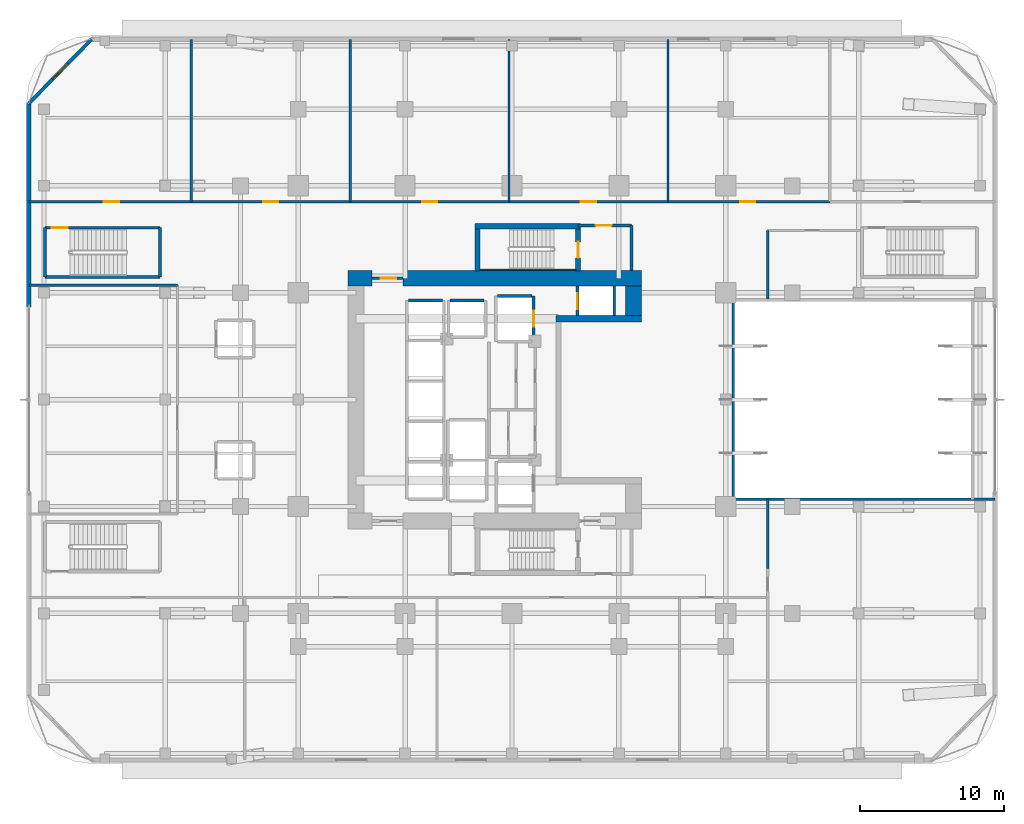
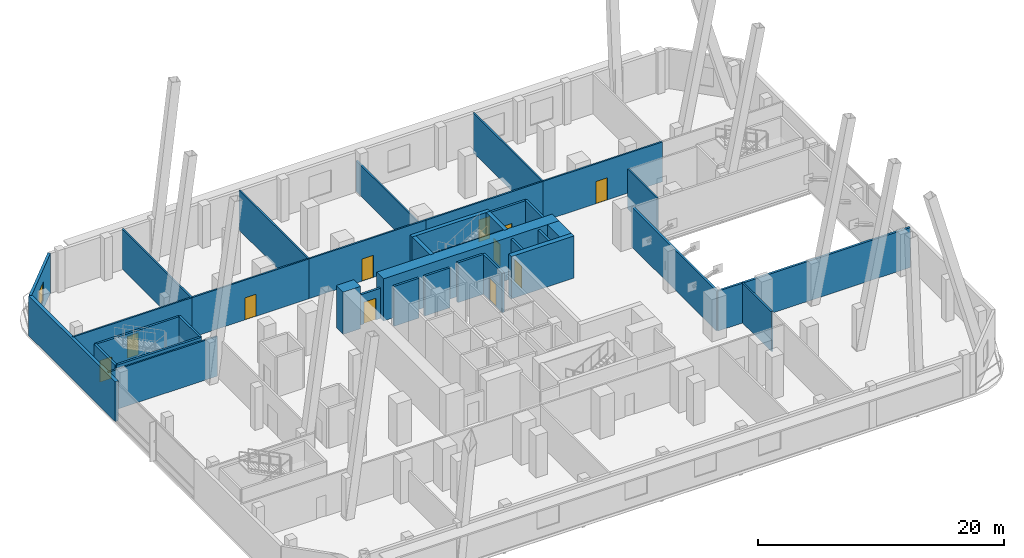
# One storey, part 13 of 23: 37 walls, 11 doors, 1 window, 12 openings.
"""IFC4 building model written with IfcOpenShell, lengths in metres."""

from ifc_helpers import new_model, si_unit, direction, frame, frame_2d, origin, place, context, subcontext, project, spatial, rectangle, extrude, material, layer, layer_set, type_object, element, fill, save


model = new_model("IFC4")

# Units and contexts
model_context = context("Model", 3, precision=1e-05, world=origin(), true_north=direction((0.0, 1.0)))
body_context = subcontext(model_context, "Body", "Model", "MODEL_VIEW")
ifc_project = project(units=[si_unit("LENGTHUNIT", "METRE"), si_unit("AREAUNIT", "SQUARE_METRE"), si_unit("VOLUMEUNIT", "CUBIC_METRE"), si_unit("PLANEANGLEUNIT", "RADIAN"), si_unit("MASSUNIT", "GRAM", prefix="KILO")], contexts=[model_context])

# Site, building, storey
site_placement = place(None, origin())
site = spatial("IfcSite", under=ifc_project, at=site_placement, CompositionType="ELEMENT")
building_placement = place(site_placement, origin())
building = spatial("IfcBuilding", under=site, at=building_placement, Name="Khorvyn Point Tower", CompositionType="ELEMENT")
storey_placement = place(building_placement, frame((0.0, 0.0, 9.0)))
storey = spatial("IfcBuildingStorey", under=building, at=storey_placement, Name="L03", CompositionType="ELEMENT", Elevation=9.0)

# Wall, opening, window
ifc_material_1 = material(Name="Pale anodised aluminium rainscreen on steel stud", Category="steel")
ifc_layer_1 = layer(ifc_material_1, 0.239990234375)
ifc_layer_set_1 = layer_set([ifc_layer_1], Name="Anodised Aluminium Insulated Corner Spandrel Wall 240")
wall_type_1 = type_object("IfcWallType", Name="Anodised Aluminium Insulated Corner Spandrel Wall 240", PredefinedType="SOLIDWALL", material=ifc_layer_set_1)
wall_1_placement = place(storey_placement, frame((-33.449951171875, 20.5, 0.0), z_axis=(0.0, 0.0, 1.0), x_axis=(0.69901822973, 0.715103848756, 0.0)))
wall_1 = element("IfcWall", 1, at=wall_1_placement, inside=storey, type_object=wall_type_1, Name="L03 Rounded Corner Wall NW", PredefinedType="SOLIDWALL", context=body_context, shape_type="SweptSolid", body=[
    extrude(rectangle(XDim=6.222900390625, YDim=0.239990234375, at=frame_2d((3.111328125, 0.0))), origin(), (0.0, 0.0, 1.0), 3.9599609375),
])
opening_1_placement = place(wall_1_placement, frame((2.361572265625, 0.0, 0.85009765625)))
opening_1 = element("IfcOpeningElement", 2, at=opening_1_placement, cuts=wall_1, Name="Opening WN-1518", PredefinedType="OPENING", context=body_context, shape_type="SweptSolid", body=[
    extrude(rectangle(XDim=1.5, YDim=1.85009765625, at=frame_2d((0.75, 0.925048828125))), frame((0.0, 0.1298828125, 0.0), z_axis=(0.0, -1.0, 0.0), x_axis=(1.0, 0.0, 0.0)), (0.0, 0.0, 1.0), 0.260009765625),
])
ifc_material_2 = material(Name="Anodised aluminium 6063-T6 and laminated Low-E glass", Category="aluminium")
window_type = type_object("IfcWindowType", Name="Anodised Aluminium Rounded-Corner Panoramic Window 1500x1850", PartitioningType="SINGLE_PANEL", PredefinedType="WINDOW", material=ifc_material_2)
window_placement = place(opening_1_placement, origin())
window = element("IfcWindow", 3, at=window_placement, inside=storey, type_object=window_type, Name="L03 Corner Window NW", OverallHeight=1.85009765625, OverallWidth=1.5, PartitioningType="SINGLE_PANEL", PredefinedType="WINDOW", context=body_context, shape_type="SweptSolid", body=[
    extrude(rectangle(XDim=1.5, YDim=1.85009765625, at=frame_2d((0.75, 0.925048828125))), frame((0.0, 0.030029296875, 0.0), z_axis=(0.0, -1.0, 0.0), x_axis=(1.0, 0.0, 0.0)), (0.0, 0.0, 1.0), 0.06005859375),
])
fill(opening_1, window)

# Wall
ifc_material_3 = material(Name="Concrete C40/50", Category="concrete")
ifc_layer_2 = layer(ifc_material_3, 0.449951171875)
ifc_layer_set_2 = layer_set([ifc_layer_2], Name="Concrete C40/50 Core Shear Wall 450")
wall_type_2 = type_object("IfcWallType", Name="Concrete C40/50 Core Shear Wall 450", PredefinedType="SHEAR", material=ifc_layer_set_2)
wall_2_placement = place(storey_placement, frame((3.044921875, 5.60009765625, 0.0), z_axis=(0.0, 0.0, 1.0), x_axis=(1.0, 0.0, 0.0)))
element("IfcWall", 4, at=wall_2_placement, inside=storey, type_object=wall_type_2, Name="Wall", PredefinedType="SHEAR", context=body_context, shape_type="SweptSolid", body=[
    extrude(rectangle(XDim=5.905029296875, YDim=0.449951171875, at=frame_2d((2.95263671875, 0.0))), origin(), (0.0, 0.0, 1.0), 4.199951171875),
])

# Wall, opening, door
ifc_layer_3 = layer(ifc_material_3, 0.199951171875)
ifc_layer_set_3 = layer_set([ifc_layer_3], Name="Concrete C40/50 Fire-Lobby Compartment Wall 200")
wall_type_3 = type_object("IfcWallType", Name="Concrete C40/50 Fire-Lobby Compartment Wall 200", PredefinedType="SOLIDWALL", material=ifc_layer_set_3)
wall_3_placement = place(storey_placement, frame((4.580078125, 12.06005859375, 0.0), z_axis=(0.0, 0.0, 1.0), x_axis=(1.0, 0.0, 0.0)))
wall_3 = element("IfcWall", 5, at=wall_3_placement, inside=storey, type_object=wall_type_3, Name="Wall", PredefinedType="SOLIDWALL", context=body_context, shape_type="SweptSolid", body=[
    extrude(rectangle(XDim=3.699951171875, YDim=0.199951171875, at=frame_2d((1.85009765625, 0.0))), origin(), (0.0, 0.0, 1.0), 3.9599609375),
])
opening_2_placement = place(wall_3_placement, frame((1.21240234375, 0.0, 0.0)))
opening_2 = element("IfcOpeningElement", 6, at=opening_2_placement, cuts=wall_3, Name="Opening ID-FL90", PredefinedType="OPENING", context=body_context, shape_type="SweptSolid", body=[
    extrude(rectangle(XDim=1.10009765625, YDim=2.14990234375, at=frame_2d((0.550048828125, 1.074951171875))), frame((0.0, 0.10986328125, 0.0), z_axis=(0.0, -1.0, 0.0), x_axis=(1.0, 0.0, 0.0)), (0.0, 0.0, 1.0), 0.219970703125),
])
ifc_material_4 = material(Name="Galvanised powder-coated steel", Category="steel")
door_type_1 = type_object("IfcDoorType", Name="Fire-Rated Steel Lobby and Stair Door 1100x2150", OperationType="NOTDEFINED", PredefinedType="DOOR", material=ifc_material_4)
door_1_placement = place(opening_2_placement, origin())
door_1 = element("IfcDoor", 7, at=door_1_placement, inside=storey, type_object=door_type_1, Name="Door", OperationType="SINGLE_SWING_RIGHT", OverallHeight=2.14990234375, OverallWidth=1.10009765625, PredefinedType="DOOR", context=body_context, shape_type="SweptSolid", body=[
    extrude(rectangle(XDim=1.10009765625, YDim=2.14990234375, at=frame_2d((0.550048828125, 1.074951171875))), frame((0.0, 0.02490234375, 0.0), z_axis=(0.0, -1.0, 0.0), x_axis=(1.0, 0.0, 0.0)), (0.0, 0.0, 1.0), 0.050048828125),
])
fill(opening_2, door_1)

wall_4_placement = place(storey_placement, frame((-9.699951171875, 8.39990234375, 0.0), z_axis=(0.0, 0.0, 1.0), x_axis=(1.0, 0.0, 0.0)))
wall_4 = element("IfcWall", 8, at=wall_4_placement, inside=storey, type_object=wall_type_3, Name="Wall", PredefinedType="SOLIDWALL", context=body_context, shape_type="SweptSolid", body=[
    extrude(rectangle(XDim=2.14990234375, YDim=0.199951171875, at=frame_2d((1.074951171875, 0.0))), origin(), (0.0, 0.0, 1.0), 3.0),
])
opening_3_placement = place(wall_4_placement, frame((0.597900390625, 0.0, 0.0)))
opening_3 = element("IfcOpeningElement", 9, at=opening_3_placement, cuts=wall_4, Name="Opening ID-FL90", PredefinedType="OPENING", context=body_context, shape_type="SweptSolid", body=[
    extrude(rectangle(XDim=1.10009765625, YDim=2.14990234375, at=frame_2d((0.550048828125, 1.074951171875))), frame((0.0, 0.10986328125, 0.0), z_axis=(0.0, -1.0, 0.0), x_axis=(1.0, 0.0, 0.0)), (0.0, 0.0, 1.0), 0.219970703125),
])
door_2_placement = place(opening_3_placement, origin())
door_2 = element("IfcDoor", 10, at=door_2_placement, inside=storey, type_object=door_type_1, Name="Door", OperationType="SINGLE_SWING_RIGHT", OverallHeight=2.14990234375, OverallWidth=1.10009765625, PredefinedType="DOOR", context=body_context, shape_type="SweptSolid", body=[
    extrude(rectangle(XDim=1.10009765625, YDim=2.14990234375, at=frame_2d((0.550048828125, 1.074951171875))), frame((0.0, 0.02490234375, 0.0), z_axis=(0.0, -1.0, 0.0), x_axis=(1.0, 0.0, 0.0)), (0.0, 0.0, 1.0), 0.050048828125),
])
fill(opening_3, door_2)

# Walls
wall_5_placement = place(storey_placement, frame((8.280029296875, 8.949951171875, 0.0), z_axis=(0.0, 0.0, 1.0), x_axis=(0.0, 1.0, 0.0)))
element("IfcWall", 11, at=wall_5_placement, inside=storey, type_object=wall_type_3, Name="Wall", PredefinedType="SOLIDWALL", context=body_context, shape_type="SweptSolid", body=[
    extrude(rectangle(XDim=3.110107421875, YDim=0.199951171875, at=frame_2d((1.55517578125, 0.0))), origin(), (0.0, 0.0, 1.0), 3.9599609375),
])
wall_6_placement = place(storey_placement, frame((15.320068359375, -6.89990234375, 0.0), z_axis=(0.0, 0.0, 1.0), x_axis=(0.0, 1.0, 0.0)))
element("IfcWall", 12, at=wall_6_placement, inside=storey, type_object=wall_type_3, Name="Wall", PredefinedType="SOLIDWALL", context=body_context, shape_type="SweptSolid", body=[
    extrude(rectangle(XDim=13.7998046875, YDim=0.199951171875, at=frame_2d((6.89990234375, 0.0))), origin(), (0.0, 0.0, 1.0), 3.9599609375),
])
wall_7_placement = place(storey_placement, frame((15.320068359375, -6.89990234375, 0.0), z_axis=(0.0, 0.0, 1.0), x_axis=(1.0, 0.0, 0.0)))
element("IfcWall", 13, at=wall_7_placement, inside=storey, type_object=wall_type_3, Name="Wall", PredefinedType="SOLIDWALL", context=body_context, shape_type="SweptSolid", body=[
    extrude(rectangle(XDim=18.099853515625, YDim=0.199951171875, at=frame_2d((9.0498046875, 0.0))), origin(), (0.0, 0.0, 1.0), 3.9599609375),
])
ifc_layer_4 = layer(ifc_material_3, 0.25)
ifc_layer_set_4 = layer_set([ifc_layer_4], Name="Concrete C40/50 Stair Inner Cheek Structural Wall 250")
wall_type_4 = type_object("IfcWallType", Name="Concrete C40/50 Stair Inner Cheek Structural Wall 250", PredefinedType="SHEAR", material=ifc_layer_set_4)
wall_8_placement = place(storey_placement, frame((-2.199951171875, 8.987548828125, 0.0), z_axis=(0.0, 0.0, 1.0), x_axis=(1.0, 0.0, 0.0)))
element("IfcWall", 14, at=wall_8_placement, inside=storey, type_object=wall_type_4, Name="Wall", PredefinedType="SHEAR", context=body_context, shape_type="SweptSolid", body=[
    extrude(rectangle(XDim=6.599853515625, YDim=0.074951171875, at=frame_2d((3.2998046875, 0.0))), origin(), (0.0, 0.0, 1.0), 4.199951171875),
])
ifc_layer_5 = layer(ifc_material_3, 0.35009765625)
ifc_layer_set_5 = layer_set([ifc_layer_5], Name="Concrete C40/50 Stair Shaft Structural Wall 350")
wall_type_5 = type_object("IfcWallType", Name="Concrete C40/50 Stair Shaft Structural Wall 350", PredefinedType="SHEAR", material=ifc_layer_set_5)
wall_9_placement = place(storey_placement, frame((-2.554931640625, 12.0, 0.0), z_axis=(0.0, 0.0, 1.0), x_axis=(1.0, 0.0, 0.0)))
element("IfcWall", 15, at=wall_9_placement, inside=storey, type_object=wall_type_5, Name="L03 ST-02 North Shaft Wall", PredefinedType="SHEAR", context=body_context, shape_type="SweptSolid", body=[
    extrude(rectangle(XDim=7.309814453125, YDim=0.35009765625, at=frame_2d((3.65478515625, 0.0))), origin(), (0.0, 0.0, 1.0), 4.199951171875),
])
wall_10_placement = place(storey_placement, frame((-2.3798828125, 8.89990234375, 0.0), z_axis=(0.0, 0.0, 1.0), x_axis=(0.0, 1.0, 0.0)))
element("IfcWall", 16, at=wall_10_placement, inside=storey, type_object=wall_type_5, Name="L03 ST-02 West Shaft Wall", PredefinedType="SHEAR", context=body_context, shape_type="SweptSolid", body=[
    extrude(rectangle(XDim=2.925048828125, YDim=0.35009765625, at=frame_2d((1.46240234375, 0.0))), origin(), (0.0, 0.0, 1.0), 4.199951171875),
])

# Wall, opening, door
wall_11_placement = place(storey_placement, frame((4.580078125, 11.824951171875, 0.0), z_axis=(0.0, 0.0, 1.0), x_axis=(0.0, -1.0, 0.0)))
wall_11 = element("IfcWall", 17, at=wall_11_placement, inside=storey, type_object=wall_type_5, Name="L03 ST-02 East Landing Door Wall", PredefinedType="SHEAR", context=body_context, shape_type="SweptSolid", body=[
    extrude(rectangle(XDim=2.925048828125, YDim=0.35009765625, at=frame_2d((1.46240234375, 0.0))), origin(), (0.0, 0.0, 1.0), 4.199951171875),
])
opening_4_placement = place(wall_11_placement, frame((0.91259765625, 0.0, 0.0)))
opening_4 = element("IfcOpeningElement", 18, at=opening_4_placement, cuts=wall_11, Name="Opening ID-FL90", PredefinedType="OPENING", context=body_context, shape_type="SweptSolid", body=[
    extrude(rectangle(XDim=1.10009765625, YDim=2.14990234375, at=frame_2d((0.550048828125, 1.074951171875))), frame((0.0, 0.18505859375, 0.0), z_axis=(0.0, -1.0, 0.0), x_axis=(1.0, 0.0, 0.0)), (0.0, 0.0, 1.0), 0.3701171875),
])
door_3_placement = place(opening_4_placement, origin())
door_3 = element("IfcDoor", 19, at=door_3_placement, inside=storey, type_object=door_type_1, Name="L03 ST-02 Smokeproof Landing Door", OperationType="SINGLE_SWING_RIGHT", OverallHeight=2.14990234375, OverallWidth=1.10009765625, PredefinedType="DOOR", context=body_context, shape_type="SweptSolid", body=[
    extrude(rectangle(XDim=1.10009765625, YDim=2.14990234375, at=frame_2d((0.550048828125, 1.074951171875))), frame((0.0, 0.02490234375, 0.0), z_axis=(0.0, -1.0, 0.0), x_axis=(1.0, 0.0, 0.0)), (0.0, 0.0, 1.0), 0.050048828125),
])
fill(opening_4, door_3)

# Walls
ifc_layer_6 = layer(ifc_material_3, 0.199951171875)
ifc_layer_set_6 = layer_set([ifc_layer_6], Name="Concrete C40/50 Structural Hoistway and Stair Shaft Wall 200")
wall_type_6 = type_object("IfcWallType", Name="Concrete C40/50 Structural Hoistway and Stair Shaft Wall 200", PredefinedType="SHEAR", material=ifc_layer_set_6)
wall_12_placement = place(storey_placement, frame((-7.175048828125, 6.875, 0.0), z_axis=(0.0, 0.0, 1.0), x_axis=(1.0, 0.0, 0.0)))
element("IfcWall", 20, at=wall_12_placement, inside=storey, type_object=wall_type_6, Name="Wall", PredefinedType="SHEAR", context=body_context, shape_type="SweptSolid", body=[
    extrude(rectangle(XDim=2.35009765625, YDim=0.199951171875, at=frame_2d((1.175048828125, 0.0))), origin(), (0.0, 0.0, 1.0), 3.9599609375),
])
wall_13_placement = place(storey_placement, frame((-4.27490234375, 6.875, 0.0), z_axis=(0.0, 0.0, 1.0), x_axis=(1.0, 0.0, 0.0)))
element("IfcWall", 21, at=wall_13_placement, inside=storey, type_object=wall_type_6, Name="Wall", PredefinedType="SHEAR", context=body_context, shape_type="SweptSolid", body=[
    extrude(rectangle(XDim=2.349853515625, YDim=0.199951171875, at=frame_2d((1.1748046875, 0.0))), origin(), (0.0, 0.0, 1.0), 3.9599609375),
])

# Wall, opening, door
wall_14_placement = place(storey_placement, frame((1.5, 4.02490234375, 0.0), z_axis=(0.0, 0.0, 1.0), x_axis=(0.0, 1.0, 0.0)))
wall_14 = element("IfcWall", 22, at=wall_14_placement, inside=storey, type_object=wall_type_6, Name="Wall", PredefinedType="SHEAR", context=body_context, shape_type="SweptSolid", body=[
    extrude(rectangle(XDim=3.150146484375, YDim=0.199951171875, at=frame_2d((1.5751953125, 0.0))), origin(), (0.0, 0.0, 1.0), 3.9599609375),
])
opening_5_placement = place(wall_14_placement, frame((1.02490234375, 0.0, 0.0)))
opening_5 = element("IfcOpeningElement", 23, at=opening_5_placement, cuts=wall_14, Name="Opening LD-1122", PredefinedType="OPENING", context=body_context, shape_type="SweptSolid", body=[
    extrude(rectangle(XDim=1.10009765625, YDim=2.199951171875, at=frame_2d((0.550048828125, 1.10009765625))), frame((0.0, 0.10986328125, 0.0), z_axis=(0.0, -1.0, 0.0), x_axis=(1.0, 0.0, 0.0)), (0.0, 0.0, 1.0), 0.219970703125),
])
ifc_material_5 = material(Name="Stainless steel 1.4301", Category="steel")
door_type_2 = type_object("IfcDoorType", Name="Stainless Steel Automatic Sliding Lift Landing Door 1100x2200", OperationType="SLIDING_TO_LEFT", PredefinedType="DOOR", material=ifc_material_5)
door_4_placement = place(opening_5_placement, origin())
door_4 = element("IfcDoor", 24, at=door_4_placement, inside=storey, type_object=door_type_2, Name="L03 SV-01 Sliding Lift Landing Door", OperationType="SLIDING_TO_LEFT", OverallHeight=2.199951171875, OverallWidth=1.10009765625, PredefinedType="DOOR", context=body_context, shape_type="SweptSolid", body=[
    extrude(rectangle(XDim=1.10009765625, YDim=2.199951171875, at=frame_2d((0.550048828125, 1.10009765625))), frame((0.0, 0.02490234375, 0.0), z_axis=(0.0, -1.0, 0.0), x_axis=(1.0, 0.0, 0.0)), (0.0, 0.0, 1.0), 0.050048828125),
])
fill(opening_5, door_4)

# Wall
wall_15_placement = place(storey_placement, frame((-1.0, 7.175048828125, 0.0), z_axis=(0.0, 0.0, 1.0), x_axis=(1.0, 0.0, 0.0)))
element("IfcWall", 25, at=wall_15_placement, inside=storey, type_object=wall_type_6, Name="Wall", PredefinedType="SHEAR", context=body_context, shape_type="SweptSolid", body=[
    extrude(rectangle(XDim=2.39990234375, YDim=0.199951171875, at=frame_2d((1.199951171875, 0.0))), origin(), (0.0, 0.0, 1.0), 3.9599609375),
])

# Wall, opening, door
wall_16_placement = place(storey_placement, frame((4.52490234375, 5.824951171875, 0.0), z_axis=(0.0, 0.0, 1.0), x_axis=(0.0, 1.0, 0.0)))
wall_16 = element("IfcWall", 26, at=wall_16_placement, inside=storey, type_object=wall_type_6, Name="Wall", PredefinedType="SHEAR", context=body_context, shape_type="SweptSolid", body=[
    extrude(rectangle(XDim=2.025146484375, YDim=0.199951171875, at=frame_2d((1.0126953125, 0.0))), origin(), (0.0, 0.0, 1.0), 3.9599609375),
])
opening_6_placement = place(wall_16_placement, frame((0.425048828125, 0.0, 0.0)))
opening_6 = element("IfcOpeningElement", 27, at=opening_6_placement, cuts=wall_16, Name="Opening LD-1122", PredefinedType="OPENING", context=body_context, shape_type="SweptSolid", body=[
    extrude(rectangle(XDim=1.10009765625, YDim=2.199951171875, at=frame_2d((0.550048828125, 1.10009765625))), frame((0.0, 0.10986328125, 0.0), z_axis=(0.0, -1.0, 0.0), x_axis=(1.0, 0.0, 0.0)), (0.0, 0.0, 1.0), 0.219970703125),
])
door_5_placement = place(opening_6_placement, origin())
door_5 = element("IfcDoor", 28, at=door_5_placement, inside=storey, type_object=door_type_2, Name="L03 FF-02 Sliding Lift Landing Door", OperationType="SLIDING_TO_LEFT", OverallHeight=2.199951171875, OverallWidth=1.10009765625, PredefinedType="DOOR", context=body_context, shape_type="SweptSolid", body=[
    extrude(rectangle(XDim=1.10009765625, YDim=2.199951171875, at=frame_2d((0.550048828125, 1.10009765625))), frame((0.0, 0.02490234375, 0.0), z_axis=(0.0, -1.0, 0.0), x_axis=(1.0, 0.0, 0.0)), (0.0, 0.0, 1.0), 0.050048828125),
])
fill(opening_6, door_5)

# Walls
wall_17_placement = place(storey_placement, frame((7.074951171875, 5.824951171875, 0.0), z_axis=(0.0, 0.0, 1.0), x_axis=(0.0, 1.0, 0.0)))
element("IfcWall", 29, at=wall_17_placement, inside=storey, type_object=wall_type_6, Name="Wall", PredefinedType="SHEAR", context=body_context, shape_type="SweptSolid", body=[
    extrude(rectangle(XDim=2.025146484375, YDim=0.199951171875, at=frame_2d((1.0126953125, 0.0))), origin(), (0.0, 0.0, 1.0), 3.9599609375),
])
for number, where, z_axis, x_axis, name in (
    (30, (-32.330078125, 8.47998046875, 0.0), (0.0, 0.0, 1.0), (0.0, 1.0, 0.0), "Wall"),
    (31, (-24.3701171875, 11.89990234375, 0.0), (0.0, 0.0, 1.0), (0.0, -1.0, 0.0), "Wall"),
):
    element("IfcWall", number, at=place(storey_placement, frame(where, z_axis=z_axis, x_axis=x_axis)), inside=storey, type_object=wall_type_6, Name=name, PredefinedType="SHEAR", context=body_context, shape_type="SweptSolid", body=[
        extrude(rectangle(XDim=3.419921875, YDim=0.199951171875, at=frame_2d((1.7099609375, 0.0))), origin(), (0.0, 0.0, 1.0), 3.9599609375),
    ])
wall_18_placement = place(storey_placement, frame((-24.3701171875, 8.47998046875, 0.0), z_axis=(0.0, 0.0, 1.0), x_axis=(-1.0, 0.0, 0.0)))
element("IfcWall", 32, at=wall_18_placement, inside=storey, type_object=wall_type_6, Name="Wall", PredefinedType="SHEAR", context=body_context, shape_type="SweptSolid", body=[
    extrude(rectangle(XDim=7.9599609375, YDim=0.199951171875, at=frame_2d((3.97998046875, 0.0))), origin(), (0.0, 0.0, 1.0), 3.9599609375),
])

# Wall, opening, door
wall_19_placement = place(storey_placement, frame((-32.330078125, 11.89990234375, 0.0), z_axis=(0.0, 0.0, 1.0), x_axis=(1.0, 0.0, 0.0)))
wall_19 = element("IfcWall", 33, at=wall_19_placement, inside=storey, type_object=wall_type_6, Name="Wall", PredefinedType="SHEAR", context=body_context, shape_type="SweptSolid", body=[
    extrude(rectangle(XDim=7.9599609375, YDim=0.199951171875, at=frame_2d((3.97998046875, 0.0))), origin(), (0.0, 0.0, 1.0), 3.9599609375),
])
opening_7_placement = place(wall_19_placement, frame((0.4599609375, 0.0, 0.0)))
opening_7 = element("IfcOpeningElement", 34, at=opening_7_placement, cuts=wall_19, Name="Opening ID-FL90", PredefinedType="OPENING", context=body_context, shape_type="SweptSolid", body=[
    extrude(rectangle(XDim=1.10009765625, YDim=2.14990234375, at=frame_2d((0.550048828125, 1.074951171875))), frame((0.0, 0.10986328125, 0.0), z_axis=(0.0, -1.0, 0.0), x_axis=(1.0, 0.0, 0.0)), (0.0, 0.0, 1.0), 0.219970703125),
])
door_6_placement = place(opening_7_placement, origin())
door_6 = element("IfcDoor", 35, at=door_6_placement, inside=storey, type_object=door_type_1, Name="L03 ST-S2 Smokeproof Landing Door", OperationType="SINGLE_SWING_RIGHT", OverallHeight=2.14990234375, OverallWidth=1.10009765625, PredefinedType="DOOR", context=body_context, shape_type="SweptSolid", body=[
    extrude(rectangle(XDim=1.10009765625, YDim=2.14990234375, at=frame_2d((0.550048828125, 1.074951171875))), frame((0.0, 0.02490234375, 0.0), z_axis=(0.0, -1.0, 0.0), x_axis=(1.0, 0.0, 0.0)), (0.0, 0.0, 1.0), 0.050048828125),
])
fill(opening_7, door_6)

# Walls
ifc_material_6 = material(Name="Concrete C50/60", Category="concrete")
ifc_layer_7 = layer(ifc_material_6, 1.10009765625)
ifc_layer_set_7 = layer_set([ifc_layer_7], Name="Concrete C50/60 Core Shear Wall 1100")
wall_type_7 = type_object("IfcWallType", Name="Concrete C50/60 Core Shear Wall 1100", PredefinedType="SHEAR", material=ifc_layer_set_7)
wall_20_placement = place(storey_placement, frame((-11.35009765625, 8.39990234375, 0.0), z_axis=(0.0, 0.0, 1.0), x_axis=(1.0, 0.0, 0.0)))
element("IfcWall", 36, at=wall_20_placement, inside=storey, type_object=wall_type_7, Name="Wall", PredefinedType="SHEAR", context=body_context, shape_type="SweptSolid", body=[
    extrude(rectangle(XDim=1.650146484375, YDim=1.10009765625, at=frame_2d((0.8251953125, 0.0))), origin(), (0.0, 0.0, 1.0), 4.199951171875),
])
wall_21_placement = place(storey_placement, frame((-7.550048828125, 8.39990234375, 0.0), z_axis=(0.0, 0.0, 1.0), x_axis=(1.0, 0.0, 0.0)))
element("IfcWall", 37, at=wall_21_placement, inside=storey, type_object=wall_type_7, Name="Wall", PredefinedType="SHEAR", context=body_context, shape_type="SweptSolid", body=[
    extrude(rectangle(XDim=16.5, YDim=1.10009765625, at=frame_2d((8.25, 0.0))), origin(), (0.0, 0.0, 1.0), 4.199951171875),
])
wall_22_placement = place(storey_placement, frame((8.39990234375, 5.824951171875, 0.0), z_axis=(0.0, 0.0, 1.0), x_axis=(0.0, 1.0, 0.0)))
element("IfcWall", 38, at=wall_22_placement, inside=storey, type_object=wall_type_7, Name="Wall", PredefinedType="SHEAR", context=body_context, shape_type="SweptSolid", body=[
    extrude(rectangle(XDim=2.025146484375, YDim=1.10009765625, at=frame_2d((1.0126953125, 0.0))), origin(), (0.0, 0.0, 1.0), 4.199951171875),
])

# Wall, opening, door
ifc_material_7 = material(Name="Moisture-resistant gypsum and cement board", Category="gypsum")
ifc_layer_8 = layer(ifc_material_7, 0.14990234375)
ifc_layer_set_8 = layer_set([ifc_layer_8], Name="Moisture-Resistant Wet-Room Partition Wall 150")
wall_type_8 = type_object("IfcWallType", Name="Moisture-Resistant Wet-Room Partition Wall 150", PredefinedType="PARTITIONING", material=ifc_layer_set_8)
wall_23_placement = place(storey_placement, frame((-33.419921875, 13.699951171875, 0.0), z_axis=(0.0, 0.0, 1.0), x_axis=(1.0, 0.0, 0.0)))
wall_23 = element("IfcWall", 39, at=wall_23_placement, inside=storey, type_object=wall_type_8, Name="Wall", PredefinedType="PARTITIONING", context=body_context, shape_type="SweptSolid", body=[
    extrude(rectangle(XDim=11.219970703125, YDim=0.14990234375, at=frame_2d((5.60986328125, 0.0))), origin(), (0.0, 0.0, 1.0), 3.9599609375),
])
opening_8_placement = place(wall_23_placement, frame((5.174560546875, 0.0, 0.0)))
opening_8 = element("IfcOpeningElement", 40, at=opening_8_placement, cuts=wall_23, Name="Opening ID-CL30", PredefinedType="OPENING", context=body_context, shape_type="SweptSolid", body=[
    extrude(rectangle(XDim=1.050048828125, YDim=2.199951171875, at=frame_2d((0.52490234375, 1.10009765625))), frame((0.0, 0.0849609375, 0.0), z_axis=(0.0, -1.0, 0.0), x_axis=(1.0, 0.0, 0.0)), (0.0, 0.0, 1.0), 0.169921875),
])
ifc_material_8 = material(Name="Hardwood timber and wired safety glass", Category="wood")
door_type_3 = type_object("IfcDoorType", Name="Glazed-Vision-Panel Classroom Timber Door 1050x2200", OperationType="NOTDEFINED", PredefinedType="DOOR", material=ifc_material_8)
door_7_placement = place(opening_8_placement, origin())
door_7 = element("IfcDoor", 41, at=door_7_placement, inside=storey, type_object=door_type_3, Name="Door", OperationType="SINGLE_SWING_RIGHT", OverallHeight=2.199951171875, OverallWidth=1.050048828125, PredefinedType="DOOR", context=body_context, shape_type="SweptSolid", body=[
    extrude(rectangle(XDim=1.050048828125, YDim=2.199951171875, at=frame_2d((0.52490234375, 1.10009765625))), frame((0.0, 0.02490234375, 0.0), z_axis=(0.0, -1.0, 0.0), x_axis=(1.0, 0.0, 0.0)), (0.0, 0.0, 1.0), 0.050048828125),
])
fill(opening_8, door_7)

wall_24_placement = place(storey_placement, frame((-22.199951171875, 13.699951171875, 0.0), z_axis=(0.0, 0.0, 1.0), x_axis=(1.0, 0.0, 0.0)))
wall_24 = element("IfcWall", 42, at=wall_24_placement, inside=storey, type_object=wall_type_8, Name="Wall", PredefinedType="PARTITIONING", context=body_context, shape_type="SweptSolid", body=[
    extrude(rectangle(XDim=11.0, YDim=0.14990234375, at=frame_2d((5.5, 0.0))), origin(), (0.0, 0.0, 1.0), 3.9599609375),
])
opening_9_placement = place(wall_24_placement, frame((4.97509765625, 0.0, 0.0)))
opening_9 = element("IfcOpeningElement", 43, at=opening_9_placement, cuts=wall_24, Name="Opening ID-CL30", PredefinedType="OPENING", context=body_context, shape_type="SweptSolid", body=[
    extrude(rectangle(XDim=1.050048828125, YDim=2.199951171875, at=frame_2d((0.52490234375, 1.10009765625))), frame((0.0, 0.0849609375, 0.0), z_axis=(0.0, -1.0, 0.0), x_axis=(1.0, 0.0, 0.0)), (0.0, 0.0, 1.0), 0.169921875),
])
door_8_placement = place(opening_9_placement, origin())
door_8 = element("IfcDoor", 44, at=door_8_placement, inside=storey, type_object=door_type_3, Name="Door", OperationType="SINGLE_SWING_LEFT", OverallHeight=2.199951171875, OverallWidth=1.050048828125, PredefinedType="DOOR", context=body_context, shape_type="SweptSolid", body=[
    extrude(rectangle(XDim=1.050048828125, YDim=2.199951171875, at=frame_2d((0.52490234375, 1.10009765625))), frame((0.0, 0.02490234375, 0.0), z_axis=(0.0, -1.0, 0.0), x_axis=(1.0, 0.0, 0.0)), (0.0, 0.0, 1.0), 0.050048828125),
])
fill(opening_9, door_8)

wall_25_placement = place(storey_placement, frame((-11.199951171875, 13.699951171875, 0.0), z_axis=(0.0, 0.0, 1.0), x_axis=(1.0, 0.0, 0.0)))
wall_25 = element("IfcWall", 45, at=wall_25_placement, inside=storey, type_object=wall_type_8, Name="Wall", PredefinedType="PARTITIONING", context=body_context, shape_type="SweptSolid", body=[
    extrude(rectangle(XDim=11.0, YDim=0.14990234375, at=frame_2d((5.5, 0.0))), origin(), (0.0, 0.0, 1.0), 3.9599609375),
])
opening_10_placement = place(wall_25_placement, frame((4.97509765625, 0.0, 0.0)))
opening_10 = element("IfcOpeningElement", 46, at=opening_10_placement, cuts=wall_25, Name="Opening ID-CL30", PredefinedType="OPENING", context=body_context, shape_type="SweptSolid", body=[
    extrude(rectangle(XDim=1.050048828125, YDim=2.199951171875, at=frame_2d((0.52490234375, 1.10009765625))), frame((0.0, 0.0849609375, 0.0), z_axis=(0.0, -1.0, 0.0), x_axis=(1.0, 0.0, 0.0)), (0.0, 0.0, 1.0), 0.169921875),
])
door_9_placement = place(opening_10_placement, origin())
door_9 = element("IfcDoor", 47, at=door_9_placement, inside=storey, type_object=door_type_3, Name="Door", OperationType="SINGLE_SWING_RIGHT", OverallHeight=2.199951171875, OverallWidth=1.050048828125, PredefinedType="DOOR", context=body_context, shape_type="SweptSolid", body=[
    extrude(rectangle(XDim=1.050048828125, YDim=2.199951171875, at=frame_2d((0.52490234375, 1.10009765625))), frame((0.0, 0.02490234375, 0.0), z_axis=(0.0, -1.0, 0.0), x_axis=(1.0, 0.0, 0.0)), (0.0, 0.0, 1.0), 0.050048828125),
])
fill(opening_10, door_9)

wall_26_placement = place(storey_placement, frame((-0.199951171875, 13.699951171875, 0.0), z_axis=(0.0, 0.0, 1.0), x_axis=(1.0, 0.0, 0.0)))
wall_26 = element("IfcWall", 48, at=wall_26_placement, inside=storey, type_object=wall_type_8, Name="Wall", PredefinedType="PARTITIONING", context=body_context, shape_type="SweptSolid", body=[
    extrude(rectangle(XDim=11.0, YDim=0.14990234375, at=frame_2d((5.5, 0.0))), origin(), (0.0, 0.0, 1.0), 3.9599609375),
])
opening_11_placement = place(wall_26_placement, frame((4.97509765625, 0.0, 0.0)))
opening_11 = element("IfcOpeningElement", 49, at=opening_11_placement, cuts=wall_26, Name="Opening ID-CL30", PredefinedType="OPENING", context=body_context, shape_type="SweptSolid", body=[
    extrude(rectangle(XDim=1.050048828125, YDim=2.199951171875, at=frame_2d((0.52490234375, 1.10009765625))), frame((0.0, 0.0849609375, 0.0), z_axis=(0.0, -1.0, 0.0), x_axis=(1.0, 0.0, 0.0)), (0.0, 0.0, 1.0), 0.169921875),
])
door_10_placement = place(opening_11_placement, origin())
door_10 = element("IfcDoor", 50, at=door_10_placement, inside=storey, type_object=door_type_3, Name="Door", OperationType="SINGLE_SWING_LEFT", OverallHeight=2.199951171875, OverallWidth=1.050048828125, PredefinedType="DOOR", context=body_context, shape_type="SweptSolid", body=[
    extrude(rectangle(XDim=1.050048828125, YDim=2.199951171875, at=frame_2d((0.52490234375, 1.10009765625))), frame((0.0, 0.02490234375, 0.0), z_axis=(0.0, -1.0, 0.0), x_axis=(1.0, 0.0, 0.0)), (0.0, 0.0, 1.0), 0.050048828125),
])
fill(opening_11, door_10)

wall_27_placement = place(storey_placement, frame((10.800048828125, 13.699951171875, 0.0), z_axis=(0.0, 0.0, 1.0), x_axis=(1.0, 0.0, 0.0)))
wall_27 = element("IfcWall", 51, at=wall_27_placement, inside=storey, type_object=wall_type_8, Name="Wall", PredefinedType="PARTITIONING", context=body_context, shape_type="SweptSolid", body=[
    extrude(rectangle(XDim=11.199951171875, YDim=0.14990234375, at=frame_2d((5.60009765625, 0.0))), origin(), (0.0, 0.0, 1.0), 3.9599609375),
])
opening_12_placement = place(wall_27_placement, frame((4.985595703125, 0.0, 0.0)))
opening_12 = element("IfcOpeningElement", 52, at=opening_12_placement, cuts=wall_27, Name="Opening ID-CL30", PredefinedType="OPENING", context=body_context, shape_type="SweptSolid", body=[
    extrude(rectangle(XDim=1.050048828125, YDim=2.199951171875, at=frame_2d((0.52490234375, 1.10009765625))), frame((0.0, 0.0849609375, 0.0), z_axis=(0.0, -1.0, 0.0), x_axis=(1.0, 0.0, 0.0)), (0.0, 0.0, 1.0), 0.169921875),
])
door_11_placement = place(opening_12_placement, origin())
door_11 = element("IfcDoor", 53, at=door_11_placement, inside=storey, type_object=door_type_3, Name="Door", OperationType="SINGLE_SWING_RIGHT", OverallHeight=2.199951171875, OverallWidth=1.050048828125, PredefinedType="DOOR", context=body_context, shape_type="SweptSolid", body=[
    extrude(rectangle(XDim=1.050048828125, YDim=2.199951171875, at=frame_2d((0.52490234375, 1.10009765625))), frame((0.0, 0.02490234375, 0.0), z_axis=(0.0, -1.0, 0.0), x_axis=(1.0, 0.0, 0.0)), (0.0, 0.0, 1.0), 0.050048828125),
])
fill(opening_12, door_11)

# Walls
for number, where, z_axis, x_axis, name in (
    (54, (-22.199951171875, 13.699951171875, 0.0), (0.0, 0.0, 1.0), (0.0, 1.0, 0.0), "Wall"),
    (55, (-11.199951171875, 13.699951171875, 0.0), (0.0, 0.0, 1.0), (0.0, 1.0, 0.0), "Wall"),
):
    element("IfcWall", number, at=place(storey_placement, frame(where, z_axis=z_axis, x_axis=x_axis)), inside=storey, type_object=wall_type_8, Name=name, PredefinedType="PARTITIONING", context=body_context, shape_type="SweptSolid", body=[
        extrude(rectangle(XDim=11.219970703125, YDim=0.14990234375, at=frame_2d((5.60986328125, 0.0))), origin(), (0.0, 0.0, 1.0), 3.9599609375),
    ])
wall_28_placement = place(storey_placement, frame((-0.199951171875, 13.699951171875, 0.0), z_axis=(0.0, 0.0, 1.0), x_axis=(0.0, 1.0, 0.0)))
element("IfcWall", 56, at=wall_28_placement, inside=storey, type_object=wall_type_8, Name="Wall", PredefinedType="PARTITIONING", context=body_context, shape_type="SweptSolid", body=[
    extrude(rectangle(XDim=11.219970703125, YDim=0.14990234375, at=frame_2d((5.60986328125, 0.0))), origin(), (0.0, 0.0, 1.0), 3.050048828125),
])
wall_29_placement = place(storey_placement, frame((10.800048828125, 13.699951171875, 0.0), z_axis=(0.0, 0.0, 1.0), x_axis=(0.0, 1.0, 0.0)))
element("IfcWall", 57, at=wall_29_placement, inside=storey, type_object=wall_type_8, Name="Wall", PredefinedType="PARTITIONING", context=body_context, shape_type="SweptSolid", body=[
    extrude(rectangle(XDim=11.219970703125, YDim=0.14990234375, at=frame_2d((5.60986328125, 0.0))), origin(), (0.0, 0.0, 1.0), 3.9599609375),
])
wall_30_placement = place(storey_placement, frame((17.699951171875, 6.949951171875, 0.0), z_axis=(0.0, 0.0, 1.0), x_axis=(0.0, 1.0, 0.0)))
element("IfcWall", 58, at=wall_30_placement, inside=storey, type_object=wall_type_8, Name="Wall", PredefinedType="PARTITIONING", context=body_context, shape_type="SweptSolid", body=[
    extrude(rectangle(XDim=4.75, YDim=0.14990234375, at=frame_2d((2.375, 0.0))), origin(), (0.0, 0.0, 1.0), 3.9599609375),
])
wall_31_placement = place(storey_placement, frame((-33.419921875, 7.919921875, 0.0), z_axis=(0.0, 0.0, 1.0), x_axis=(1.0, 0.0, 0.0)))
element("IfcWall", 59, at=wall_31_placement, inside=storey, type_object=wall_type_8, Name="Wall", PredefinedType="PARTITIONING", context=body_context, shape_type="SweptSolid", body=[
    extrude(rectangle(XDim=10.260009765625, YDim=0.14990234375, at=frame_2d((5.1298828125, 0.0))), origin(), (0.0, 0.0, 1.0), 3.9599609375),
])
wall_32_placement = place(storey_placement, frame((17.699951171875, -11.699951171875, 0.0), z_axis=(0.0, 0.0, 1.0), x_axis=(0.0, 1.0, 0.0)))
element("IfcWall", 60, at=wall_32_placement, inside=storey, type_object=wall_type_8, Name="Wall", PredefinedType="PARTITIONING", context=body_context, shape_type="SweptSolid", body=[
    extrude(rectangle(XDim=4.800048828125, YDim=0.14990234375, at=frame_2d((2.39990234375, 0.0))), origin(), (0.0, 0.0, 1.0), 3.9599609375),
])
ifc_material_9 = material(Name="Precast concrete C35/45", Category="concrete")
ifc_layer_9 = layer(ifc_material_9, 0.300048828125)
ifc_layer_set_9 = layer_set([ifc_layer_9], Name="Precast Concrete C35/45 Insulated Podium Facade Wall 300")
wall_type_9 = type_object("IfcWallType", Name="Precast Concrete C35/45 Insulated Podium Facade Wall 300", PredefinedType="SOLIDWALL", material=ifc_layer_set_9)
wall_33_placement = place(storey_placement, frame((-33.449951171875, 6.409912109375, 0.0), z_axis=(0.0, 0.0, 1.0), x_axis=(0.0, 1.0, 0.0)))
element("IfcWall", 61, at=wall_33_placement, inside=storey, type_object=wall_type_9, Name="Wall", PredefinedType="SOLIDWALL", context=body_context, shape_type="SweptSolid", body=[
    extrude(rectangle(XDim=14.090087890625, YDim=0.300048828125, at=frame_2d((7.044921875, 0.0))), origin(), (0.0, 0.0, 1.0), 3.9599609375),
])

save(model, "model.ifc")
